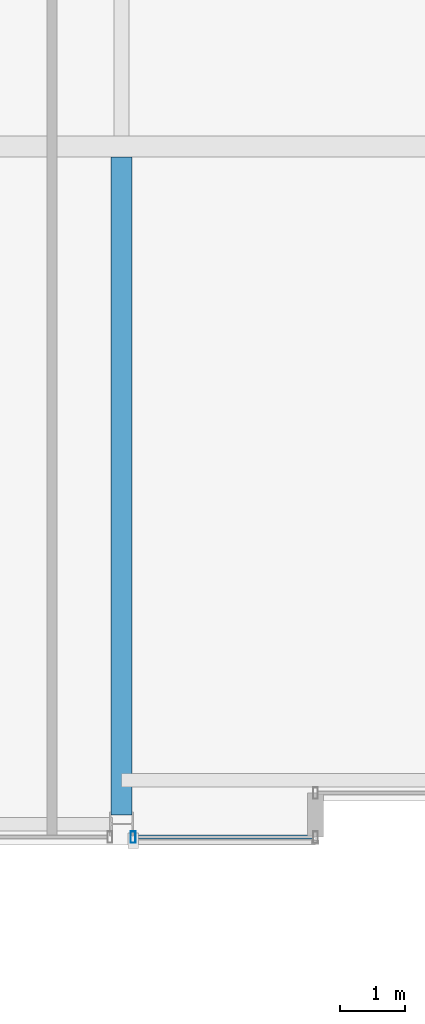
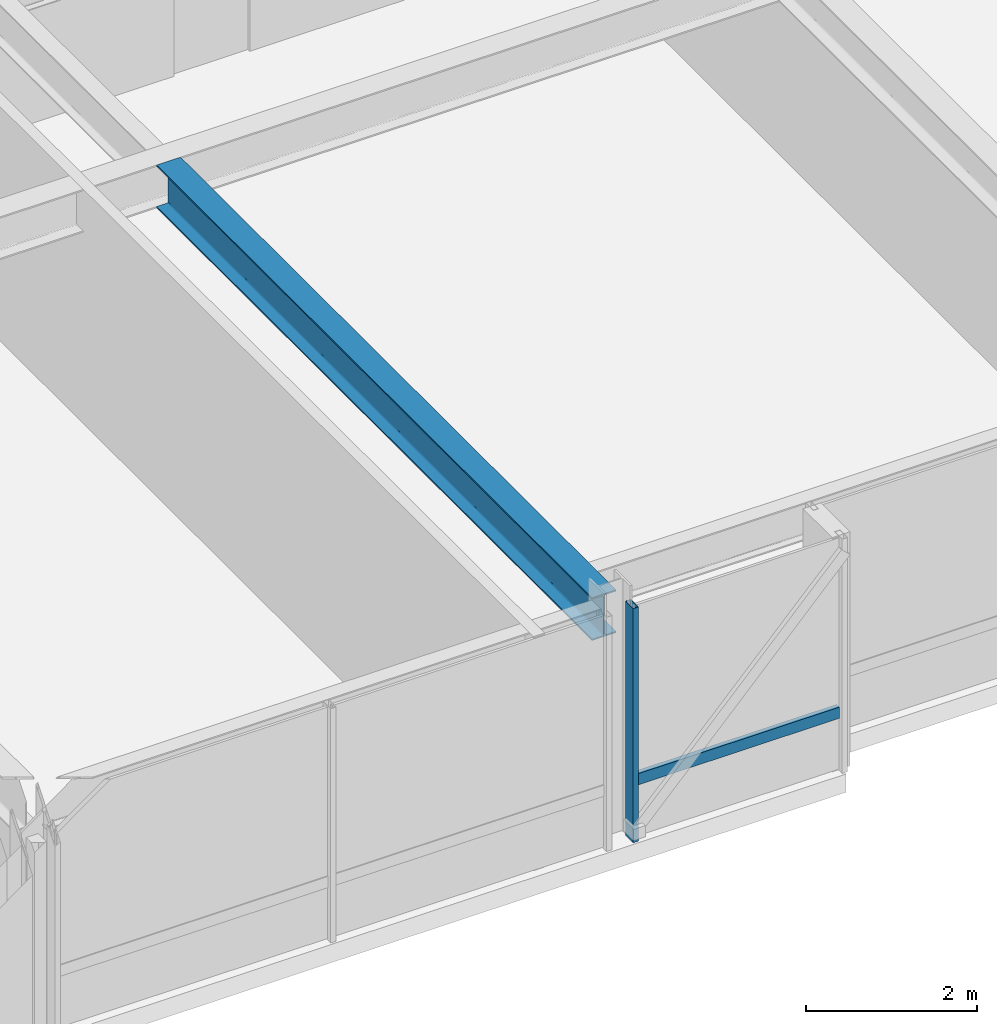
# One storey, part 4 of 32: 2 members, 1 beam, 1 element without a shape of its own.
"""IFC4 building model written with IfcOpenShell, lengths in metres."""

from ifc_helpers import new_model, si_unit, direction, frame, origin, origin_2d, place, context, subcontext, project, spatial, hollow_rectangle, i_section, extrude, material, layer, layer_set, material_profile, profile_set, type_object, element, aggregate, save


model = new_model("IFC4")

# Units and contexts
model_context = context("Model", 3, precision=1e-05, world=origin(), true_north=direction((0.0, 1.0)))
body_context = subcontext(model_context, "Body", "Model", "MODEL_VIEW")
ifc_project = project(units=[si_unit("LENGTHUNIT", "METRE"), si_unit("AREAUNIT", "SQUARE_METRE"), si_unit("VOLUMEUNIT", "CUBIC_METRE"), si_unit("PLANEANGLEUNIT", "RADIAN"), si_unit("MASSUNIT", "GRAM", prefix="KILO")], contexts=[model_context])

# Site, building, storey
site_placement = place(None, origin())
site = spatial("IfcSite", under=ifc_project, at=site_placement, CompositionType="ELEMENT")
building_placement = place(site_placement, origin())
building = spatial("IfcBuilding", under=site, at=building_placement, Name="Drelvath Grand Hotel", CompositionType="ELEMENT")
storey_placement = place(building_placement, frame((0.0, 0.0, 237.5)))
storey = spatial("IfcBuildingStorey", under=building, at=storey_placement, Name="L62", CompositionType="ELEMENT", Elevation=237.5)

# Curtain wall, members
ifc_material_1 = material(Name="Platinum-Mist Anodised Aluminium Frame", Category="aluminium")
ifc_layer = layer(ifc_material_1, 0.199951171875)
ifc_layer_set = layer_set([ifc_layer], Name="Platinum-Mist Anodised Aluminium Frame")
curtain_wall_type = type_object("IfcCurtainWallType", Name="Stick Curtain Wall CW-05 Platinum Mist High-Rise", PredefinedType="NOTDEFINED", material=ifc_layer_set)
curtain_wall_placement = place(storey_placement, origin())
curtain_wall = element("IfcCurtainWall", 1, at=curtain_wall_placement, inside=storey, type_object=curtain_wall_type, Name="L62 CW-05 Curtain Wall CW05-L62-SW3", PredefinedType="NOTDEFINED")
ifc_material_profile_1 = material_profile(ifc_material_1, hollow_rectangle(XDim=0.06494140625, YDim=0.159912109375, WallThickness=0.00390625, at=origin_2d()), Name="HSS160X65X4")
ifc_profile_set_1 = profile_set([ifc_material_profile_1], Name="Platinum-Mist Anodised Aluminium Frame")
member_type_1 = type_object("IfcMemberType", Name="Curtain Wall Horizontal Transom CW-05 HSS160X65X4", PredefinedType="USERDEFINED", material=ifc_profile_set_1)
member_1_placement = place(storey_placement, frame((-5.43994140625, 0.1201171875, 0.8349609375), z_axis=(-1.0, 0.0, 0.0), x_axis=(0.0, -1.0, 0.0)))
member_1 = element("IfcMember", 2, at=member_1_placement, type_object=member_type_1, Name="CW05-L62-SW3 Sill Transom", ObjectType="TRANSOM", PredefinedType="USERDEFINED", context=body_context, shape_type="SweptSolid", body=[
    extrude(hollow_rectangle(XDim=0.06494140625, YDim=0.159912109375, WallThickness=0.00390625, at=origin_2d()), origin(), (0.0, 0.0, 1.0), 2.741943359375),
])
ifc_material_profile_2 = material_profile(ifc_material_1, hollow_rectangle(XDim=0.074951171875, YDim=0.179931640625, WallThickness=0.0048828125, at=origin_2d()), Name="HSS180X75X5")
ifc_profile_set_2 = profile_set([ifc_material_profile_2], Name="Platinum-Mist Anodised Aluminium Frame")
member_type_2 = type_object("IfcMemberType", Name="Curtain Wall Vertical Mullion CW-05 HSS180X75X5", PredefinedType="MULLION", material=ifc_profile_set_2)
member_2_placement = place(storey_placement, frame((-8.2216796875, 0.1201171875, 0.0), z_axis=(0.0, 0.0, 1.0), x_axis=(1.0, 0.0, 0.0)))
member_2 = element("IfcMember", 3, at=member_2_placement, type_object=member_type_2, Name="CW05-L62-SW3 Mullion 2", PredefinedType="MULLION", context=body_context, shape_type="SweptSolid", body=[
    extrude(hollow_rectangle(XDim=0.074951171875, YDim=0.179931640625, WallThickness=0.0048828125, at=origin_2d()), origin(), (0.0, 0.0, 1.0), 3.340087890625),
])
aggregate(curtain_wall, [member_2, member_1])

# Beam
ifc_material_2 = material(Name="Steel ASTM A992 Gr 50", Category="steel")
ifc_material_profile_3 = material_profile(ifc_material_2, i_section(OverallWidth=0.323974609375, OverallDepth=0.611083984375, WebThickness=0.0126953125, FlangeThickness=0.01904296875, FilletRadius=0.02197265625, at=origin_2d()), Name="W24X104")
ifc_profile_set_3 = profile_set([ifc_material_profile_3], Name="Steel ASTM A992 Gr 50")
beam_type = type_object("IfcBeamType", Name="Primary Floor Girder W24X104", PredefinedType="BEAM", material=ifc_profile_set_3)
beam_placement = place(storey_placement, frame((-8.39990234375, 0.4599609375, 3.034423828125), z_axis=(0.0, 1.0, 0.0), x_axis=(-1.0, 0.0, 0.0)))
element("IfcBeam", 4, at=beam_placement, inside=storey, type_object=beam_type, Name="L62 South Wing Girder 4", PredefinedType="BEAM", context=body_context, shape_type="SweptSolid", body=[
    extrude(i_section(OverallWidth=0.323974609375, OverallDepth=0.611083984375, WebThickness=0.0126953125, FlangeThickness=0.01904296875, FilletRadius=0.02197265625, at=origin_2d()), origin(), (0.0, 0.0, 1.0), 10.177978515625),
])

save(model, "model.ifc")
